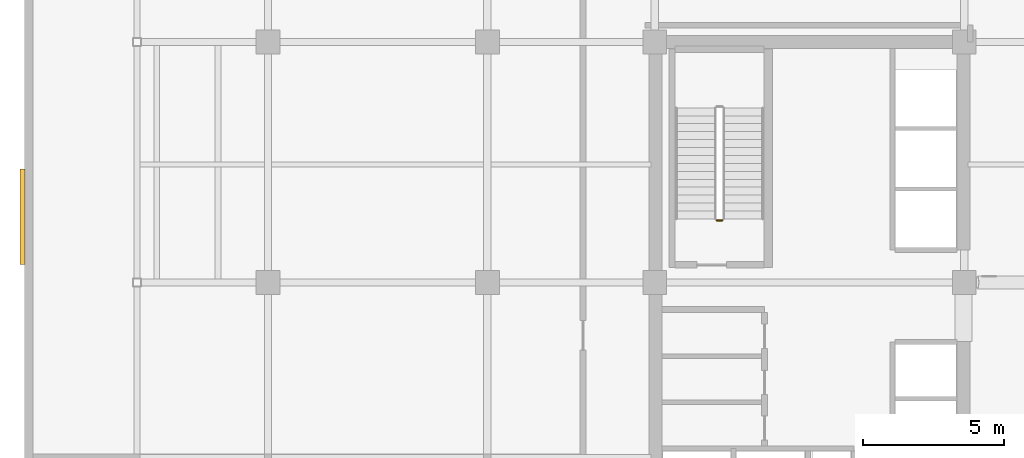
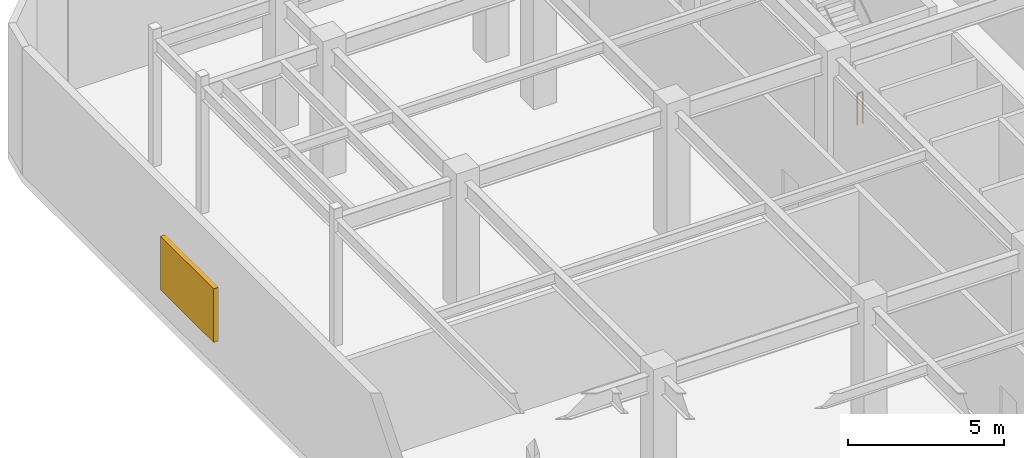
# One storey, part 12 of 14: 1 railing, 1 shading device.
"""IFC4 building model written with IfcOpenShell, lengths in metres."""

from ifc_helpers import new_model, si_unit, direction, frame, origin, origin_2d, place, context, subcontext, project, spatial, rectangle, circle, extrude, material, layer, layer_set, type_object, element, save


model = new_model("IFC4")

# Units and contexts
model_context = context("Model", 3, precision=1e-05, world=origin(), true_north=direction((0.0, 1.0)))
body_context = subcontext(model_context, "Body", "Model", "MODEL_VIEW")
ifc_project = project(units=[si_unit("LENGTHUNIT", "METRE"), si_unit("AREAUNIT", "SQUARE_METRE"), si_unit("VOLUMEUNIT", "CUBIC_METRE"), si_unit("PLANEANGLEUNIT", "RADIAN"), si_unit("MASSUNIT", "GRAM", prefix="KILO")], contexts=[model_context])

# Site, building, storey
site_placement = place(None, origin())
site = spatial("IfcSite", under=ifc_project, at=site_placement, CompositionType="ELEMENT")
building_placement = place(site_placement, origin())
building = spatial("IfcBuilding", under=site, at=building_placement, Name="Ochreholt Gables", CompositionType="ELEMENT")
storey_placement = place(building_placement, frame((0.0, 0.0, 71.39990234375)))
storey = spatial("IfcBuildingStorey", under=building, at=storey_placement, Name="L18", CompositionType="ELEMENT", Elevation=71.39990234375)

# Railing
ifc_material_1 = material(Name="Painted Steel Stair Guardrail", Category="steel")
railing_type = type_object("IfcRailingType", Name="RL-ST-GUARD", PredefinedType="GUARDRAIL", material=ifc_material_1)
railing_placement = place(storey_placement, frame((26.60009765625, 32.409912109375, 0.0)))
element("IfcRailing", 1, at=railing_placement, inside=storey, type_object=railing_type, Name="L18 ST-2 stair guard 4", PredefinedType="GUARDRAIL", context=body_context, shape_type="SweptSolid", body=[
    extrude(circle(Radius=0.02392578125, at=origin_2d()), frame((0.0, 0.0, 1.22607421875), z_axis=(-1.0, 0.0, 0.0), x_axis=(0.0, -1.0, 0.0)), (0.0, 0.0, 1.0), 0.2001953125),
    extrude(circle(Radius=0.02099609375, at=origin_2d()), origin(), (0.0, 0.0, 1.0), 1.201904296875),
    extrude(circle(Radius=0.02099609375, at=origin_2d()), frame((-0.2001953125, 0.0, 0.0)), (0.0, 0.0, 1.0), 1.201904296875),
])

# Shading device
ifc_material_2 = material(Name="Anodized Aluminium Acoustic Weather Louvre", Category="aluminium")
ifc_layer = layer(ifc_material_2, 0.179931640625, Name="Anodized Aluminium Acoustic Weather Louvre")
ifc_layer_set = layer_set([ifc_layer], Name="Anodized Aluminium Acoustic Weather Louvre")
shading_device_type = type_object("IfcShadingDeviceType", Name="SHD-LOUVRE", PredefinedType="JALOUSIE", material=ifc_layer_set)
shading_device_placement = place(storey_placement, frame((1.72998046875, 32.535888671875, 1.10009765625), z_axis=(0.0, 0.0, 1.0), x_axis=(0.0, -1.0, 0.0)))
element("IfcShadingDevice", 2, at=shading_device_placement, inside=storey, type_object=shading_device_type, Name="L18 Acoustic Plant Louvre West-1", PredefinedType="JALOUSIE", context=body_context, shape_type="SweptSolid", body=[
    extrude(rectangle(XDim=3.39990234375, YDim=0.179931640625, at=origin_2d()), origin(), (0.0, 0.0, 1.0), 2.10009765625),
])

save(model, "model.ifc")
